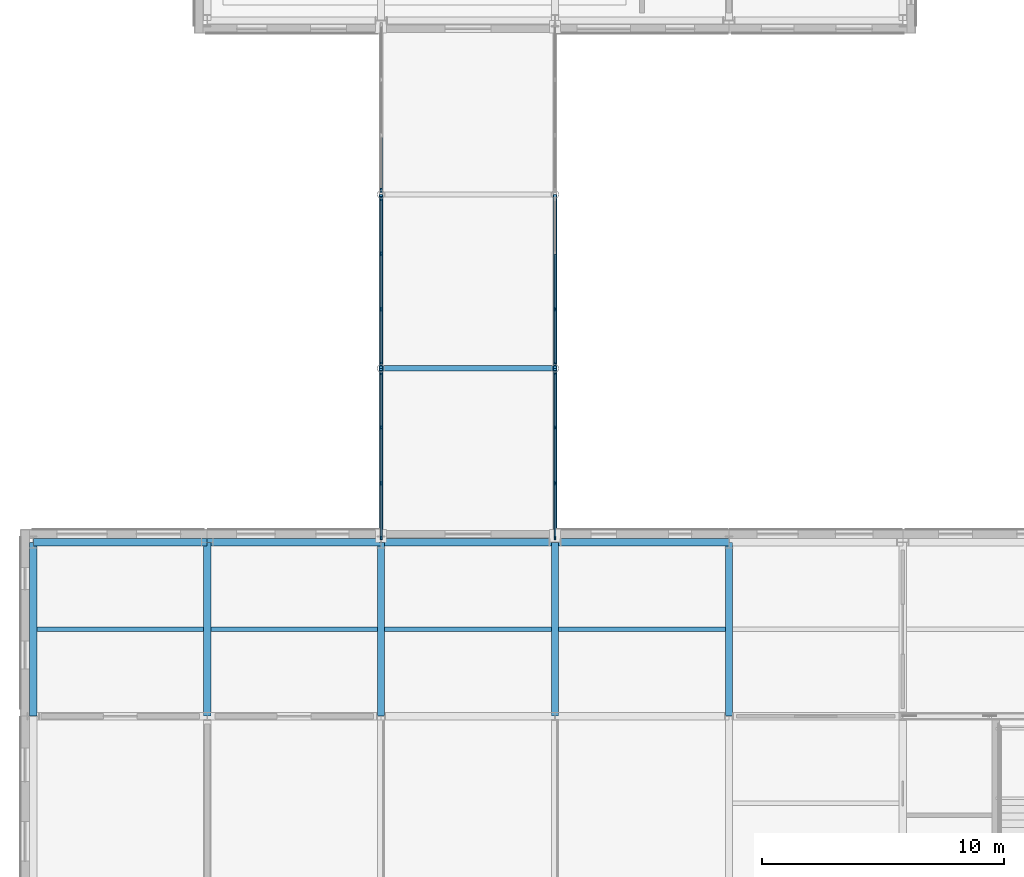
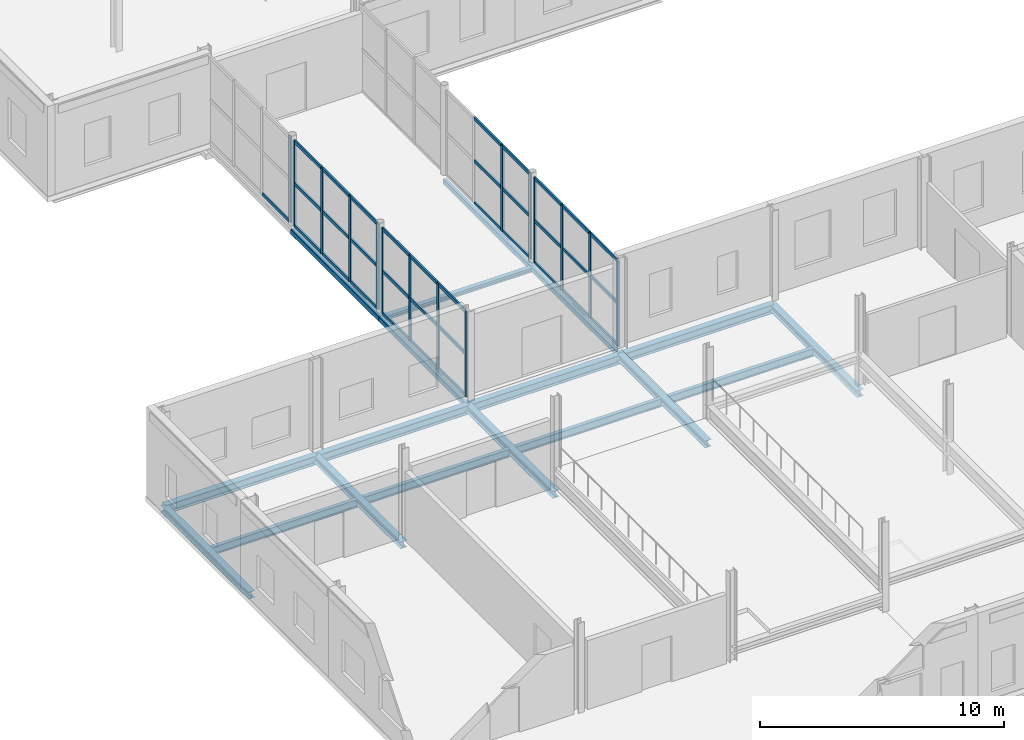
# One storey, part 23 of 92: 49 members, 18 beams, 5 elements without a shape of their own.
"""IFC4 building model written with IfcOpenShell, lengths in metres."""

from ifc_helpers import new_model, si_unit, direction, frame, origin, origin_2d, place, context, subcontext, project, spatial, rectangle, hollow_rectangle, i_section, extrude, material, material_profile, profile_set, type_object, element, aggregate, save


model = new_model("IFC4")

# Units and contexts
model_context = context("Model", 3, precision=1e-05, world=origin(), true_north=direction((0.0, 1.0)))
body_context = subcontext(model_context, "Body", "Model", "MODEL_VIEW")
ifc_project = project(units=[si_unit("LENGTHUNIT", "METRE"), si_unit("AREAUNIT", "SQUARE_METRE"), si_unit("VOLUMEUNIT", "CUBIC_METRE"), si_unit("PLANEANGLEUNIT", "RADIAN"), si_unit("MASSUNIT", "GRAM", prefix="KILO")], contexts=[model_context])

# Site, building, storey
site_placement = place(None, origin())
site = spatial("IfcSite", under=ifc_project, at=site_placement, CompositionType="ELEMENT")
building_placement = place(site_placement, origin())
building = spatial("IfcBuilding", under=site, at=building_placement, Name="Zlatovets Crest Museum", CompositionType="ELEMENT")
storey_placement = place(building_placement, origin())
storey = spatial("IfcBuildingStorey", under=building, at=storey_placement, Name="L00", CompositionType="ELEMENT", Elevation=0.0)

# Beams
ifc_material_1 = material(Name="Structural steel S355J2", Category="steel")
ifc_material_profile_1 = material_profile(ifc_material_1, i_section(OverallWidth=0.300048828125, OverallDepth=0.35009765625, WebThickness=0.010009765625, FlangeThickness=0.017578125, FilletRadius=0.027099609375, at=origin_2d()), Name="HEA 360")
ifc_profile_set_1 = profile_set([ifc_material_profile_1], Name="Structural steel S355J2")
beam_type_1 = type_object("IfcBeamType", Name="Beam_B-03", PredefinedType="BEAM", material=ifc_profile_set_1)
for number, where, z_axis, x_axis, name in (
    (1, (0.0, 21.60009765625, -0.425048828125), (0.0, 1.0, 0.0), (-1.0, 0.0, 0.0), "V3 L00 Grid Beam B-03"),
    (2, (7.199951171875, 21.60009765625, -0.425048828125), (0.0, 1.0, 0.0), (-1.0, 0.0, 0.0), "V3 L00 Grid Beam B-03"),
    (3, (14.39990234375, 21.60009765625, -0.425048828125), (0.0, 1.0, 0.0), (-1.0, 0.0, 0.0), "V3 L00 Grid Beam B-03"),
    (4, (21.60009765625, 21.60009765625, -0.425048828125), (0.0, 1.0, 0.0), (-1.0, 0.0, 0.0), "V3 L00 Grid Beam B-03"),
    (5, (28.800048828125, 21.60009765625, -0.425048828125), (0.0, 1.0, 0.0), (-1.0, 0.0, 0.0), "V3 L00 Grid Beam B-03"),
):
    element("IfcBeam", number, at=place(storey_placement, frame(where, z_axis=z_axis, x_axis=x_axis)), inside=storey, type_object=beam_type_1, Name=name, PredefinedType="BEAM", context=body_context, shape_type="SweptSolid", body=[
        extrude(i_section(OverallWidth=0.300048828125, OverallDepth=0.35009765625, WebThickness=0.010009765625, FlangeThickness=0.017578125, FilletRadius=0.027099609375, at=origin_2d()), origin(), (0.0, 0.0, 1.0), 7.199951171875),
    ])
ifc_material_profile_2 = material_profile(ifc_material_1, i_section(OverallWidth=0.300048828125, OverallDepth=0.43994140625, WebThickness=0.011474609375, FlangeThickness=0.02099609375, FilletRadius=0.027099609375, at=origin_2d()), Name="HEA 450")
ifc_profile_set_2 = profile_set([ifc_material_profile_2], Name="Structural steel S355J2")
beam_type_2 = type_object("IfcBeamType", Name="Beam_B-10", PredefinedType="BEAM", material=ifc_profile_set_2)
for number, where, z_axis, x_axis, name in (
    (6, (0.0, 28.800048828125, -0.469970703125), (1.0, 0.0, 0.0), (0.0, 1.0, 0.0), "V3 L00 Primary Girder B-10"),
    (7, (7.199951171875, 28.800048828125, -0.469970703125), (1.0, 0.0, 0.0), (0.0, 1.0, 0.0), "V3 L00 Primary Girder B-10"),
):
    element("IfcBeam", number, at=place(storey_placement, frame(where, z_axis=z_axis, x_axis=x_axis)), inside=storey, type_object=beam_type_2, Name=name, PredefinedType="BEAM", context=body_context, shape_type="SweptSolid", body=[
        extrude(i_section(OverallWidth=0.300048828125, OverallDepth=0.43994140625, WebThickness=0.011474609375, FlangeThickness=0.02099609375, FilletRadius=0.027099609375, at=origin_2d()), origin(), (0.0, 0.0, 1.0), 7.199951171875),
    ])
beam_1_placement = place(storey_placement, frame((14.39990234375, 28.800048828125, -0.469970703125), z_axis=(1.0, 0.0, 0.0), x_axis=(0.0, 1.0, 0.0)))
element("IfcBeam", 8, at=beam_1_placement, inside=storey, type_object=beam_type_2, Name="V3 L00 Primary Girder B-10", PredefinedType="BEAM", context=body_context, shape_type="SweptSolid", body=[
    extrude(i_section(OverallWidth=0.300048828125, OverallDepth=0.43994140625, WebThickness=0.011474609375, FlangeThickness=0.02099609375, FilletRadius=0.027099609375, at=origin_2d()), origin(), (0.0, 0.0, 1.0), 7.2001953125),
])
beam_2_placement = place(storey_placement, frame((21.60009765625, 28.800048828125, -0.469970703125), z_axis=(1.0, 0.0, 0.0), x_axis=(0.0, 1.0, 0.0)))
element("IfcBeam", 9, at=beam_2_placement, inside=storey, type_object=beam_type_2, Name="V3 L00 Primary Girder B-10", PredefinedType="BEAM", context=body_context, shape_type="SweptSolid", body=[
    extrude(i_section(OverallWidth=0.300048828125, OverallDepth=0.43994140625, WebThickness=0.011474609375, FlangeThickness=0.02099609375, FilletRadius=0.027099609375, at=origin_2d()), origin(), (0.0, 0.0, 1.0), 7.199951171875),
])
ifc_material_profile_3 = material_profile(ifc_material_1, i_section(OverallWidth=0.219970703125, OverallDepth=0.2099609375, WebThickness=0.007080078125, FlangeThickness=0.010986328125, FilletRadius=0.01806640625, at=origin_2d()), Name="HEA 220")
ifc_profile_set_3 = profile_set([ifc_material_profile_3], Name="Structural steel S355J2")
beam_type_3 = type_object("IfcBeamType", Name="Beam_B-14", PredefinedType="BEAM", material=ifc_profile_set_3)
beam_3_placement = place(storey_placement, frame((14.39990234375, 36.0, -0.3798828125), z_axis=(1.0, 0.0, 0.0), x_axis=(0.0, 1.0, 0.0)))
element("IfcBeam", 10, at=beam_3_placement, inside=storey, type_object=beam_type_3, Name="West Hillside Glazed Link Bridge L00 Cross Beam", PredefinedType="BEAM", context=body_context, shape_type="SweptSolid", body=[
    extrude(i_section(OverallWidth=0.219970703125, OverallDepth=0.2099609375, WebThickness=0.007080078125, FlangeThickness=0.010986328125, FilletRadius=0.01806640625, at=origin_2d()), origin(), (0.0, 0.0, 1.0), 7.2001953125),
])
ifc_material_profile_4 = material_profile(ifc_material_1, hollow_rectangle(XDim=0.159912109375, YDim=0.260009765625, WallThickness=0.010009765625, InnerFilletRadius=0.010009765625, OuterFilletRadius=0.02001953125, at=origin_2d()), Name="RHS 160x260x10.0")
ifc_profile_set_4 = profile_set([ifc_material_profile_4], Name="Structural steel S355J2")
beam_type_4 = type_object("IfcBeamType", Name="Beam_BRG-02", PredefinedType="BEAM", material=ifc_profile_set_4)
for number, where, z_axis, x_axis, name in (
    (11, (14.39990234375, 28.800048828125, -0.3798828125), (0.0, 1.0, 0.0), (-1.0, 0.0, 0.0), "West Hillside Glazed Link Bridge L00 Stringer Beam"),
    (12, (14.39990234375, 36.0, -0.3798828125), (0.0, 1.0, 0.0), (-1.0, 0.0, 0.0), "West Hillside Glazed Link Bridge L00 Stringer Beam"),
    (13, (21.60009765625, 28.800048828125, -0.3798828125), (0.0, 1.0, 0.0), (-1.0, 0.0, 0.0), "West Hillside Glazed Link Bridge L00 Stringer Beam"),
    (14, (21.60009765625, 36.0, -0.3798828125), (0.0, 1.0, 0.0), (-1.0, 0.0, 0.0), "West Hillside Glazed Link Bridge L00 Stringer Beam"),
):
    element("IfcBeam", number, at=place(storey_placement, frame(where, z_axis=z_axis, x_axis=x_axis)), inside=storey, type_object=beam_type_4, Name=name, PredefinedType="BEAM", context=body_context, shape_type="SweptSolid", body=[
        extrude(hollow_rectangle(XDim=0.159912109375, YDim=0.260009765625, WallThickness=0.010009765625, InnerFilletRadius=0.010009765625, OuterFilletRadius=0.02001953125, at=origin_2d()), origin(), (0.0, 0.0, 1.0), 7.199951171875),
    ])
ifc_material_profile_5 = material_profile(ifc_material_1, i_section(OverallWidth=0.179931640625, OverallDepth=0.39990234375, WebThickness=0.008544921875, FlangeThickness=0.013427734375, FilletRadius=0.02099609375, at=origin_2d()), Name="IPE 400")
ifc_profile_set_5 = profile_set([ifc_material_profile_5], Name="Structural steel S355J2")
beam_type_5 = type_object("IfcBeamType", Name="Beam_J-04", PredefinedType="JOIST", material=ifc_profile_set_5)
beam_4_placement = place(storey_placement, frame((0.14990234375, 25.199951171875, -0.449951171875), z_axis=(1.0, 0.0, 0.0), x_axis=(0.0, 1.0, 0.0)))
element("IfcBeam", 15, at=beam_4_placement, inside=storey, type_object=beam_type_5, Name="V3 L00 Composite Joist J-04", PredefinedType="JOIST", context=body_context, shape_type="SweptSolid", body=[
    extrude(i_section(OverallWidth=0.179931640625, OverallDepth=0.39990234375, WebThickness=0.008544921875, FlangeThickness=0.013427734375, FilletRadius=0.02099609375, at=origin_2d()), origin(), (0.0, 0.0, 1.0), 6.900146484375),
])
for number, where, z_axis, x_axis, name in (
    (16, (7.35009765625, 25.199951171875, -0.449951171875), (1.0, 0.0, 0.0), (0.0, 1.0, 0.0), "V3 L00 Composite Joist J-04"),
    (17, (14.550048828125, 25.199951171875, -0.449951171875), (1.0, 0.0, 0.0), (0.0, 1.0, 0.0), "V3 L00 Composite Joist J-04"),
    (18, (21.75, 25.199951171875, -0.449951171875), (1.0, 0.0, 0.0), (0.0, 1.0, 0.0), "V3 L00 Composite Joist J-04"),
):
    element("IfcBeam", number, at=place(storey_placement, frame(where, z_axis=z_axis, x_axis=x_axis)), inside=storey, type_object=beam_type_5, Name=name, PredefinedType="JOIST", context=body_context, shape_type="SweptSolid", body=[
        extrude(i_section(OverallWidth=0.179931640625, OverallDepth=0.39990234375, WebThickness=0.008544921875, FlangeThickness=0.013427734375, FilletRadius=0.02099609375, at=origin_2d()), origin(), (0.0, 0.0, 1.0), 6.89990234375),
    ])

# Curtain wall, members
ifc_material_2 = material(Name="Bronze-anodised aluminium and low-E triple glass", Category="aluminium")
curtain_wall_type = type_object("IfcCurtainWallType", Name="CW_CW-BR2-L00-S69", PredefinedType="NOTDEFINED", material=ifc_material_2)
curtain_wall_1_placement = place(storey_placement, origin())
curtain_wall_1 = element("IfcCurtainWall", 19, at=curtain_wall_1_placement, inside=storey, type_object=curtain_wall_type, Name="West Hillside Glazed Link Bridge L00 Glazed Bridge Curtain Wall", PredefinedType="NOTDEFINED")
ifc_material_3 = material(Name="Bronze-anodised aluminium EN AW-6060", Category="aluminium")
ifc_material_profile_6 = material_profile(ifc_material_3, rectangle(XDim=0.080078125, YDim=0.159912109375, at=origin_2d()), Name="ALU 80x160")
ifc_profile_set_6 = profile_set([ifc_material_profile_6], Name="Bronze-anodised aluminium EN AW-6060")
member_type_1 = type_object("IfcMemberType", Name="CWMull_M1", PredefinedType="MULLION", material=ifc_profile_set_6)
member_1_placement = place(storey_placement, frame((14.39990234375, 28.97998046875, 0.0), z_axis=(0.0, 0.0, 1.0), x_axis=(-1.0, 0.0, 0.0)))
member_1 = element("IfcMember", 20, at=member_1_placement, type_object=member_type_1, Name="CW-BR2-L00-S69 mullion 1", PredefinedType="MULLION", context=body_context, shape_type="SweptSolid", body=[
    extrude(rectangle(XDim=0.080078125, YDim=0.159912109375, at=origin_2d()), origin(), (0.0, 0.0, 1.0), 4.280029296875),
])
member_2_placement = place(storey_placement, frame((14.39990234375, 31.25, 0.0), z_axis=(0.0, 0.0, 1.0), x_axis=(-1.0, 0.0, 0.0)))
member_2 = element("IfcMember", 21, at=member_2_placement, type_object=member_type_1, Name="CW-BR2-L00-S69 mullion 2", PredefinedType="MULLION", context=body_context, shape_type="SweptSolid", body=[
    extrude(rectangle(XDim=0.080078125, YDim=0.159912109375, at=origin_2d()), origin(), (0.0, 0.0, 1.0), 4.280029296875),
])
member_3_placement = place(storey_placement, frame((14.39990234375, 33.550048828125, 0.0), z_axis=(0.0, 0.0, 1.0), x_axis=(-1.0, 0.0, 0.0)))
member_3 = element("IfcMember", 22, at=member_3_placement, type_object=member_type_1, Name="CW-BR2-L00-S69 mullion 3", PredefinedType="MULLION", context=body_context, shape_type="SweptSolid", body=[
    extrude(rectangle(XDim=0.080078125, YDim=0.159912109375, at=origin_2d()), origin(), (0.0, 0.0, 1.0), 4.280029296875),
])
member_4_placement = place(storey_placement, frame((14.39990234375, 35.820068359375, 0.0), z_axis=(0.0, 0.0, 1.0), x_axis=(-1.0, 0.0, 0.0)))
member_4 = element("IfcMember", 23, at=member_4_placement, type_object=member_type_1, Name="CW-BR2-L00-S69 mullion 4", PredefinedType="MULLION", context=body_context, shape_type="SweptSolid", body=[
    extrude(rectangle(XDim=0.080078125, YDim=0.159912109375, at=origin_2d()), origin(), (0.0, 0.0, 1.0), 4.280029296875),
])

curtain_wall_2_placement = place(storey_placement, origin())
curtain_wall_2 = element("IfcCurtainWall", 24, at=curtain_wall_2_placement, inside=storey, type_object=curtain_wall_type, Name="West Hillside Glazed Link Bridge L00 Glazed Bridge Curtain Wall", PredefinedType="NOTDEFINED")
member_5_placement = place(storey_placement, frame((14.39990234375, 36.179931640625, 0.0), z_axis=(0.0, 0.0, 1.0), x_axis=(-1.0, 0.0, 0.0)))
member_5 = element("IfcMember", 25, at=member_5_placement, type_object=member_type_1, Name="CW-BR2-L00-S69 mullion 1", PredefinedType="MULLION", context=body_context, shape_type="SweptSolid", body=[
    extrude(rectangle(XDim=0.080078125, YDim=0.159912109375, at=origin_2d()), origin(), (0.0, 0.0, 1.0), 4.280029296875),
])
member_6_placement = place(storey_placement, frame((14.39990234375, 38.449951171875, 0.0), z_axis=(0.0, 0.0, 1.0), x_axis=(-1.0, 0.0, 0.0)))
member_6 = element("IfcMember", 26, at=member_6_placement, type_object=member_type_1, Name="CW-BR2-L00-S69 mullion 2", PredefinedType="MULLION", context=body_context, shape_type="SweptSolid", body=[
    extrude(rectangle(XDim=0.080078125, YDim=0.159912109375, at=origin_2d()), origin(), (0.0, 0.0, 1.0), 4.280029296875),
])
member_7_placement = place(storey_placement, frame((14.39990234375, 40.75, 0.0), z_axis=(0.0, 0.0, 1.0), x_axis=(-1.0, 0.0, 0.0)))
member_7 = element("IfcMember", 27, at=member_7_placement, type_object=member_type_1, Name="CW-BR2-L00-S69 mullion 3", PredefinedType="MULLION", context=body_context, shape_type="SweptSolid", body=[
    extrude(rectangle(XDim=0.080078125, YDim=0.159912109375, at=origin_2d()), origin(), (0.0, 0.0, 1.0), 4.280029296875),
])
member_8_placement = place(storey_placement, frame((14.39990234375, 43.02001953125, 0.0), z_axis=(0.0, 0.0, 1.0), x_axis=(-1.0, 0.0, 0.0)))
member_8 = element("IfcMember", 28, at=member_8_placement, type_object=member_type_1, Name="CW-BR2-L00-S69 mullion 4", PredefinedType="MULLION", context=body_context, shape_type="SweptSolid", body=[
    extrude(rectangle(XDim=0.080078125, YDim=0.159912109375, at=origin_2d()), origin(), (0.0, 0.0, 1.0), 4.280029296875),
])

# Curtain wall, member
curtain_wall_3_placement = place(storey_placement, origin())
curtain_wall_3 = element("IfcCurtainWall", 29, at=curtain_wall_3_placement, inside=storey, type_object=curtain_wall_type, Name="West Hillside Glazed Link Bridge L00 Glazed Bridge Curtain Wall", PredefinedType="NOTDEFINED")
member_9_placement = place(storey_placement, frame((14.39990234375, 43.3798828125, 0.0), z_axis=(0.0, 0.0, 1.0), x_axis=(-1.0, 0.0, 0.0)))
member_9 = element("IfcMember", 30, at=member_9_placement, type_object=member_type_1, Name="CW-BR2-L00-S69 mullion 1", PredefinedType="MULLION", context=body_context, shape_type="SweptSolid", body=[
    extrude(rectangle(XDim=0.080078125, YDim=0.159912109375, at=origin_2d()), origin(), (0.0, 0.0, 1.0), 4.280029296875),
])

# Curtain wall, members
curtain_wall_4_placement = place(storey_placement, origin())
curtain_wall_4 = element("IfcCurtainWall", 31, at=curtain_wall_4_placement, inside=storey, type_object=curtain_wall_type, Name="West Hillside Glazed Link Bridge L00 Glazed Bridge Curtain Wall", PredefinedType="NOTDEFINED")
member_10_placement = place(storey_placement, frame((21.60009765625, 28.97998046875, 0.0), z_axis=(0.0, 0.0, 1.0), x_axis=(-1.0, 0.0, 0.0)))
member_10 = element("IfcMember", 32, at=member_10_placement, type_object=member_type_1, Name="CW-BR2-L00-S69 mullion 1", PredefinedType="MULLION", context=body_context, shape_type="SweptSolid", body=[
    extrude(rectangle(XDim=0.080078125, YDim=0.159912109375, at=origin_2d()), origin(), (0.0, 0.0, 1.0), 4.280029296875),
])
member_11_placement = place(storey_placement, frame((21.60009765625, 31.25, 0.0), z_axis=(0.0, 0.0, 1.0), x_axis=(-1.0, 0.0, 0.0)))
member_11 = element("IfcMember", 33, at=member_11_placement, type_object=member_type_1, Name="CW-BR2-L00-S69 mullion 2", PredefinedType="MULLION", context=body_context, shape_type="SweptSolid", body=[
    extrude(rectangle(XDim=0.080078125, YDim=0.159912109375, at=origin_2d()), origin(), (0.0, 0.0, 1.0), 4.280029296875),
])
member_12_placement = place(storey_placement, frame((21.60009765625, 33.550048828125, 0.0), z_axis=(0.0, 0.0, 1.0), x_axis=(-1.0, 0.0, 0.0)))
member_12 = element("IfcMember", 34, at=member_12_placement, type_object=member_type_1, Name="CW-BR2-L00-S69 mullion 3", PredefinedType="MULLION", context=body_context, shape_type="SweptSolid", body=[
    extrude(rectangle(XDim=0.080078125, YDim=0.159912109375, at=origin_2d()), origin(), (0.0, 0.0, 1.0), 4.280029296875),
])
member_13_placement = place(storey_placement, frame((21.60009765625, 35.820068359375, 0.0), z_axis=(0.0, 0.0, 1.0), x_axis=(-1.0, 0.0, 0.0)))
member_13 = element("IfcMember", 35, at=member_13_placement, type_object=member_type_1, Name="CW-BR2-L00-S69 mullion 4", PredefinedType="MULLION", context=body_context, shape_type="SweptSolid", body=[
    extrude(rectangle(XDim=0.080078125, YDim=0.159912109375, at=origin_2d()), origin(), (0.0, 0.0, 1.0), 4.280029296875),
])

curtain_wall_5_placement = place(storey_placement, origin())
curtain_wall_5 = element("IfcCurtainWall", 36, at=curtain_wall_5_placement, inside=storey, type_object=curtain_wall_type, Name="West Hillside Glazed Link Bridge L00 Glazed Bridge Curtain Wall", PredefinedType="NOTDEFINED")
member_14_placement = place(storey_placement, frame((21.60009765625, 36.179931640625, 0.0), z_axis=(0.0, 0.0, 1.0), x_axis=(-1.0, 0.0, 0.0)))
member_14 = element("IfcMember", 37, at=member_14_placement, type_object=member_type_1, Name="CW-BR2-L00-S69 mullion 1", PredefinedType="MULLION", context=body_context, shape_type="SweptSolid", body=[
    extrude(rectangle(XDim=0.080078125, YDim=0.159912109375, at=origin_2d()), origin(), (0.0, 0.0, 1.0), 4.280029296875),
])
member_15_placement = place(storey_placement, frame((21.60009765625, 38.449951171875, 0.0), z_axis=(0.0, 0.0, 1.0), x_axis=(-1.0, 0.0, 0.0)))
member_15 = element("IfcMember", 38, at=member_15_placement, type_object=member_type_1, Name="CW-BR2-L00-S69 mullion 2", PredefinedType="MULLION", context=body_context, shape_type="SweptSolid", body=[
    extrude(rectangle(XDim=0.080078125, YDim=0.159912109375, at=origin_2d()), origin(), (0.0, 0.0, 1.0), 4.280029296875),
])

# Member
ifc_material_profile_7 = material_profile(ifc_material_3, rectangle(XDim=0.080078125, YDim=0.159912109375, at=origin_2d()), Name="ALU 80x160")
ifc_profile_set_7 = profile_set([ifc_material_profile_7], Name="Bronze-anodised aluminium EN AW-6060")
member_type_2 = type_object("IfcMemberType", Name="CWTrans_T1", PredefinedType="USERDEFINED", material=ifc_profile_set_7)
member_16_placement = place(storey_placement, frame((14.39990234375, 29.010009765625, 0.030029296875), z_axis=(0.0, 1.0, 0.0), x_axis=(-1.0, 0.0, 0.0)))
member_16 = element("IfcMember", 39, at=member_16_placement, type_object=member_type_2, Name="CW-BR2-L00-S69 transom 1.1", ObjectType="TRANSOM", PredefinedType="USERDEFINED", context=body_context, shape_type="SweptSolid", body=[
    extrude(rectangle(XDim=0.080078125, YDim=0.159912109375, at=origin_2d()), origin(), (0.0, 0.0, 1.0), 2.2099609375),
])

member_17_placement = place(storey_placement, frame((14.39990234375, 29.010009765625, 2.139892578125), z_axis=(0.0, 1.0, 0.0), x_axis=(-1.0, 0.0, 0.0)))
member_17 = element("IfcMember", 40, at=member_17_placement, type_object=member_type_2, Name="CW-BR2-L00-S69 transom 1.2", ObjectType="TRANSOM", PredefinedType="USERDEFINED", context=body_context, shape_type="SweptSolid", body=[
    extrude(rectangle(XDim=0.080078125, YDim=0.159912109375, at=origin_2d()), origin(), (0.0, 0.0, 1.0), 2.2099609375),
])

member_18_placement = place(storey_placement, frame((14.39990234375, 29.010009765625, 4.25), z_axis=(0.0, 1.0, 0.0), x_axis=(-1.0, 0.0, 0.0)))
member_18 = element("IfcMember", 41, at=member_18_placement, type_object=member_type_2, Name="CW-BR2-L00-S69 transom 1.3", ObjectType="TRANSOM", PredefinedType="USERDEFINED", context=body_context, shape_type="SweptSolid", body=[
    extrude(rectangle(XDim=0.080078125, YDim=0.159912109375, at=origin_2d()), origin(), (0.0, 0.0, 1.0), 2.2099609375),
])

member_19_placement = place(storey_placement, frame((14.39990234375, 31.280029296875, 0.030029296875), z_axis=(0.0, 1.0, 0.0), x_axis=(-1.0, 0.0, 0.0)))
member_19 = element("IfcMember", 42, at=member_19_placement, type_object=member_type_2, Name="CW-BR2-L00-S69 transom 2.1", ObjectType="TRANSOM", PredefinedType="USERDEFINED", context=body_context, shape_type="SweptSolid", body=[
    extrude(rectangle(XDim=0.080078125, YDim=0.159912109375, at=origin_2d()), origin(), (0.0, 0.0, 1.0), 2.239990234375),
])

member_20_placement = place(storey_placement, frame((14.39990234375, 31.280029296875, 2.139892578125), z_axis=(0.0, 1.0, 0.0), x_axis=(-1.0, 0.0, 0.0)))
member_20 = element("IfcMember", 43, at=member_20_placement, type_object=member_type_2, Name="CW-BR2-L00-S69 transom 2.2", ObjectType="TRANSOM", PredefinedType="USERDEFINED", context=body_context, shape_type="SweptSolid", body=[
    extrude(rectangle(XDim=0.080078125, YDim=0.159912109375, at=origin_2d()), origin(), (0.0, 0.0, 1.0), 2.239990234375),
])

member_21_placement = place(storey_placement, frame((14.39990234375, 31.280029296875, 4.25), z_axis=(0.0, 1.0, 0.0), x_axis=(-1.0, 0.0, 0.0)))
member_21 = element("IfcMember", 44, at=member_21_placement, type_object=member_type_2, Name="CW-BR2-L00-S69 transom 2.3", ObjectType="TRANSOM", PredefinedType="USERDEFINED", context=body_context, shape_type="SweptSolid", body=[
    extrude(rectangle(XDim=0.080078125, YDim=0.159912109375, at=origin_2d()), origin(), (0.0, 0.0, 1.0), 2.239990234375),
])

member_22_placement = place(storey_placement, frame((14.39990234375, 33.580078125, 0.030029296875), z_axis=(0.0, 1.0, 0.0), x_axis=(-1.0, 0.0, 0.0)))
member_22 = element("IfcMember", 45, at=member_22_placement, type_object=member_type_2, Name="CW-BR2-L00-S69 transom 3.1", ObjectType="TRANSOM", PredefinedType="USERDEFINED", context=body_context, shape_type="SweptSolid", body=[
    extrude(rectangle(XDim=0.080078125, YDim=0.159912109375, at=origin_2d()), origin(), (0.0, 0.0, 1.0), 2.2099609375),
])

member_23_placement = place(storey_placement, frame((14.39990234375, 33.580078125, 2.139892578125), z_axis=(0.0, 1.0, 0.0), x_axis=(-1.0, 0.0, 0.0)))
member_23 = element("IfcMember", 46, at=member_23_placement, type_object=member_type_2, Name="CW-BR2-L00-S69 transom 3.2", ObjectType="TRANSOM", PredefinedType="USERDEFINED", context=body_context, shape_type="SweptSolid", body=[
    extrude(rectangle(XDim=0.080078125, YDim=0.159912109375, at=origin_2d()), origin(), (0.0, 0.0, 1.0), 2.2099609375),
])

member_24_placement = place(storey_placement, frame((14.39990234375, 33.580078125, 4.25), z_axis=(0.0, 1.0, 0.0), x_axis=(-1.0, 0.0, 0.0)))
member_24 = element("IfcMember", 47, at=member_24_placement, type_object=member_type_2, Name="CW-BR2-L00-S69 transom 3.3", ObjectType="TRANSOM", PredefinedType="USERDEFINED", context=body_context, shape_type="SweptSolid", body=[
    extrude(rectangle(XDim=0.080078125, YDim=0.159912109375, at=origin_2d()), origin(), (0.0, 0.0, 1.0), 2.2099609375),
])

aggregate(curtain_wall_1, [member_1, member_2, member_3, member_4, member_16, member_17, member_18, member_19, member_20, member_21, member_22, member_23, member_24])

member_25_placement = place(storey_placement, frame((14.39990234375, 36.2099609375, 0.030029296875), z_axis=(0.0, 1.0, 0.0), x_axis=(-1.0, 0.0, 0.0)))
member_25 = element("IfcMember", 48, at=member_25_placement, type_object=member_type_2, Name="CW-BR2-L00-S69 transom 1.1", ObjectType="TRANSOM", PredefinedType="USERDEFINED", context=body_context, shape_type="SweptSolid", body=[
    extrude(rectangle(XDim=0.080078125, YDim=0.159912109375, at=origin_2d()), origin(), (0.0, 0.0, 1.0), 2.2099609375),
])

member_26_placement = place(storey_placement, frame((14.39990234375, 36.2099609375, 2.139892578125), z_axis=(0.0, 1.0, 0.0), x_axis=(-1.0, 0.0, 0.0)))
member_26 = element("IfcMember", 49, at=member_26_placement, type_object=member_type_2, Name="CW-BR2-L00-S69 transom 1.2", ObjectType="TRANSOM", PredefinedType="USERDEFINED", context=body_context, shape_type="SweptSolid", body=[
    extrude(rectangle(XDim=0.080078125, YDim=0.159912109375, at=origin_2d()), origin(), (0.0, 0.0, 1.0), 2.2099609375),
])

member_27_placement = place(storey_placement, frame((14.39990234375, 36.2099609375, 4.25), z_axis=(0.0, 1.0, 0.0), x_axis=(-1.0, 0.0, 0.0)))
member_27 = element("IfcMember", 50, at=member_27_placement, type_object=member_type_2, Name="CW-BR2-L00-S69 transom 1.3", ObjectType="TRANSOM", PredefinedType="USERDEFINED", context=body_context, shape_type="SweptSolid", body=[
    extrude(rectangle(XDim=0.080078125, YDim=0.159912109375, at=origin_2d()), origin(), (0.0, 0.0, 1.0), 2.2099609375),
])

member_28_placement = place(storey_placement, frame((14.39990234375, 38.47998046875, 0.030029296875), z_axis=(0.0, 1.0, 0.0), x_axis=(-1.0, 0.0, 0.0)))
member_28 = element("IfcMember", 51, at=member_28_placement, type_object=member_type_2, Name="CW-BR2-L00-S69 transom 2.1", ObjectType="TRANSOM", PredefinedType="USERDEFINED", context=body_context, shape_type="SweptSolid", body=[
    extrude(rectangle(XDim=0.080078125, YDim=0.159912109375, at=origin_2d()), origin(), (0.0, 0.0, 1.0), 2.239990234375),
])

member_29_placement = place(storey_placement, frame((14.39990234375, 38.47998046875, 2.139892578125), z_axis=(0.0, 1.0, 0.0), x_axis=(-1.0, 0.0, 0.0)))
member_29 = element("IfcMember", 52, at=member_29_placement, type_object=member_type_2, Name="CW-BR2-L00-S69 transom 2.2", ObjectType="TRANSOM", PredefinedType="USERDEFINED", context=body_context, shape_type="SweptSolid", body=[
    extrude(rectangle(XDim=0.080078125, YDim=0.159912109375, at=origin_2d()), origin(), (0.0, 0.0, 1.0), 2.239990234375),
])

member_30_placement = place(storey_placement, frame((14.39990234375, 38.47998046875, 4.25), z_axis=(0.0, 1.0, 0.0), x_axis=(-1.0, 0.0, 0.0)))
member_30 = element("IfcMember", 53, at=member_30_placement, type_object=member_type_2, Name="CW-BR2-L00-S69 transom 2.3", ObjectType="TRANSOM", PredefinedType="USERDEFINED", context=body_context, shape_type="SweptSolid", body=[
    extrude(rectangle(XDim=0.080078125, YDim=0.159912109375, at=origin_2d()), origin(), (0.0, 0.0, 1.0), 2.239990234375),
])

member_31_placement = place(storey_placement, frame((14.39990234375, 40.780029296875, 0.030029296875), z_axis=(0.0, 1.0, 0.0), x_axis=(-1.0, 0.0, 0.0)))
member_31 = element("IfcMember", 54, at=member_31_placement, type_object=member_type_2, Name="CW-BR2-L00-S69 transom 3.1", ObjectType="TRANSOM", PredefinedType="USERDEFINED", context=body_context, shape_type="SweptSolid", body=[
    extrude(rectangle(XDim=0.080078125, YDim=0.159912109375, at=origin_2d()), origin(), (0.0, 0.0, 1.0), 2.2099609375),
])

member_32_placement = place(storey_placement, frame((14.39990234375, 40.780029296875, 2.139892578125), z_axis=(0.0, 1.0, 0.0), x_axis=(-1.0, 0.0, 0.0)))
member_32 = element("IfcMember", 55, at=member_32_placement, type_object=member_type_2, Name="CW-BR2-L00-S69 transom 3.2", ObjectType="TRANSOM", PredefinedType="USERDEFINED", context=body_context, shape_type="SweptSolid", body=[
    extrude(rectangle(XDim=0.080078125, YDim=0.159912109375, at=origin_2d()), origin(), (0.0, 0.0, 1.0), 2.2099609375),
])

member_33_placement = place(storey_placement, frame((14.39990234375, 40.780029296875, 4.25), z_axis=(0.0, 1.0, 0.0), x_axis=(-1.0, 0.0, 0.0)))
member_33 = element("IfcMember", 56, at=member_33_placement, type_object=member_type_2, Name="CW-BR2-L00-S69 transom 3.3", ObjectType="TRANSOM", PredefinedType="USERDEFINED", context=body_context, shape_type="SweptSolid", body=[
    extrude(rectangle(XDim=0.080078125, YDim=0.159912109375, at=origin_2d()), origin(), (0.0, 0.0, 1.0), 2.2099609375),
])

aggregate(curtain_wall_2, [member_5, member_6, member_7, member_8, member_25, member_26, member_27, member_28, member_29, member_30, member_31, member_32, member_33])

member_34_placement = place(storey_placement, frame((14.39990234375, 43.409912109375, 0.030029296875), z_axis=(0.0, 1.0, 0.0), x_axis=(-1.0, 0.0, 0.0)))
member_34 = element("IfcMember", 57, at=member_34_placement, type_object=member_type_2, Name="CW-BR2-L00-S69 transom 1.1", ObjectType="TRANSOM", PredefinedType="USERDEFINED", context=body_context, shape_type="SweptSolid", body=[
    extrude(rectangle(XDim=0.080078125, YDim=0.159912109375, at=origin_2d()), origin(), (0.0, 0.0, 1.0), 2.210205078125),
])

aggregate(curtain_wall_3, [member_9, member_34])

member_35_placement = place(storey_placement, frame((21.60009765625, 29.010009765625, 0.030029296875), z_axis=(0.0, 1.0, 0.0), x_axis=(-1.0, 0.0, 0.0)))
member_35 = element("IfcMember", 58, at=member_35_placement, type_object=member_type_2, Name="CW-BR2-L00-S69 transom 1.1", ObjectType="TRANSOM", PredefinedType="USERDEFINED", context=body_context, shape_type="SweptSolid", body=[
    extrude(rectangle(XDim=0.080078125, YDim=0.159912109375, at=origin_2d()), origin(), (0.0, 0.0, 1.0), 2.2099609375),
])

member_36_placement = place(storey_placement, frame((21.60009765625, 29.010009765625, 2.139892578125), z_axis=(0.0, 1.0, 0.0), x_axis=(-1.0, 0.0, 0.0)))
member_36 = element("IfcMember", 59, at=member_36_placement, type_object=member_type_2, Name="CW-BR2-L00-S69 transom 1.2", ObjectType="TRANSOM", PredefinedType="USERDEFINED", context=body_context, shape_type="SweptSolid", body=[
    extrude(rectangle(XDim=0.080078125, YDim=0.159912109375, at=origin_2d()), origin(), (0.0, 0.0, 1.0), 2.2099609375),
])

member_37_placement = place(storey_placement, frame((21.60009765625, 29.010009765625, 4.25), z_axis=(0.0, 1.0, 0.0), x_axis=(-1.0, 0.0, 0.0)))
member_37 = element("IfcMember", 60, at=member_37_placement, type_object=member_type_2, Name="CW-BR2-L00-S69 transom 1.3", ObjectType="TRANSOM", PredefinedType="USERDEFINED", context=body_context, shape_type="SweptSolid", body=[
    extrude(rectangle(XDim=0.080078125, YDim=0.159912109375, at=origin_2d()), origin(), (0.0, 0.0, 1.0), 2.2099609375),
])

member_38_placement = place(storey_placement, frame((21.60009765625, 31.280029296875, 0.030029296875), z_axis=(0.0, 1.0, 0.0), x_axis=(-1.0, 0.0, 0.0)))
member_38 = element("IfcMember", 61, at=member_38_placement, type_object=member_type_2, Name="CW-BR2-L00-S69 transom 2.1", ObjectType="TRANSOM", PredefinedType="USERDEFINED", context=body_context, shape_type="SweptSolid", body=[
    extrude(rectangle(XDim=0.080078125, YDim=0.159912109375, at=origin_2d()), origin(), (0.0, 0.0, 1.0), 2.239990234375),
])

member_39_placement = place(storey_placement, frame((21.60009765625, 31.280029296875, 2.139892578125), z_axis=(0.0, 1.0, 0.0), x_axis=(-1.0, 0.0, 0.0)))
member_39 = element("IfcMember", 62, at=member_39_placement, type_object=member_type_2, Name="CW-BR2-L00-S69 transom 2.2", ObjectType="TRANSOM", PredefinedType="USERDEFINED", context=body_context, shape_type="SweptSolid", body=[
    extrude(rectangle(XDim=0.080078125, YDim=0.159912109375, at=origin_2d()), origin(), (0.0, 0.0, 1.0), 2.239990234375),
])

member_40_placement = place(storey_placement, frame((21.60009765625, 31.280029296875, 4.25), z_axis=(0.0, 1.0, 0.0), x_axis=(-1.0, 0.0, 0.0)))
member_40 = element("IfcMember", 63, at=member_40_placement, type_object=member_type_2, Name="CW-BR2-L00-S69 transom 2.3", ObjectType="TRANSOM", PredefinedType="USERDEFINED", context=body_context, shape_type="SweptSolid", body=[
    extrude(rectangle(XDim=0.080078125, YDim=0.159912109375, at=origin_2d()), origin(), (0.0, 0.0, 1.0), 2.239990234375),
])

member_41_placement = place(storey_placement, frame((21.60009765625, 33.580078125, 0.030029296875), z_axis=(0.0, 1.0, 0.0), x_axis=(-1.0, 0.0, 0.0)))
member_41 = element("IfcMember", 64, at=member_41_placement, type_object=member_type_2, Name="CW-BR2-L00-S69 transom 3.1", ObjectType="TRANSOM", PredefinedType="USERDEFINED", context=body_context, shape_type="SweptSolid", body=[
    extrude(rectangle(XDim=0.080078125, YDim=0.159912109375, at=origin_2d()), origin(), (0.0, 0.0, 1.0), 2.2099609375),
])

member_42_placement = place(storey_placement, frame((21.60009765625, 33.580078125, 2.139892578125), z_axis=(0.0, 1.0, 0.0), x_axis=(-1.0, 0.0, 0.0)))
member_42 = element("IfcMember", 65, at=member_42_placement, type_object=member_type_2, Name="CW-BR2-L00-S69 transom 3.2", ObjectType="TRANSOM", PredefinedType="USERDEFINED", context=body_context, shape_type="SweptSolid", body=[
    extrude(rectangle(XDim=0.080078125, YDim=0.159912109375, at=origin_2d()), origin(), (0.0, 0.0, 1.0), 2.2099609375),
])

member_43_placement = place(storey_placement, frame((21.60009765625, 33.580078125, 4.25), z_axis=(0.0, 1.0, 0.0), x_axis=(-1.0, 0.0, 0.0)))
member_43 = element("IfcMember", 66, at=member_43_placement, type_object=member_type_2, Name="CW-BR2-L00-S69 transom 3.3", ObjectType="TRANSOM", PredefinedType="USERDEFINED", context=body_context, shape_type="SweptSolid", body=[
    extrude(rectangle(XDim=0.080078125, YDim=0.159912109375, at=origin_2d()), origin(), (0.0, 0.0, 1.0), 2.2099609375),
])

aggregate(curtain_wall_4, [member_10, member_11, member_12, member_13, member_35, member_36, member_37, member_38, member_39, member_40, member_41, member_42, member_43])

member_44_placement = place(storey_placement, frame((21.60009765625, 36.2099609375, 0.030029296875), z_axis=(0.0, 1.0, 0.0), x_axis=(-1.0, 0.0, 0.0)))
member_44 = element("IfcMember", 67, at=member_44_placement, type_object=member_type_2, Name="CW-BR2-L00-S69 transom 1.1", ObjectType="TRANSOM", PredefinedType="USERDEFINED", context=body_context, shape_type="SweptSolid", body=[
    extrude(rectangle(XDim=0.080078125, YDim=0.159912109375, at=origin_2d()), origin(), (0.0, 0.0, 1.0), 2.2099609375),
])

member_45_placement = place(storey_placement, frame((21.60009765625, 36.2099609375, 2.139892578125), z_axis=(0.0, 1.0, 0.0), x_axis=(-1.0, 0.0, 0.0)))
member_45 = element("IfcMember", 68, at=member_45_placement, type_object=member_type_2, Name="CW-BR2-L00-S69 transom 1.2", ObjectType="TRANSOM", PredefinedType="USERDEFINED", context=body_context, shape_type="SweptSolid", body=[
    extrude(rectangle(XDim=0.080078125, YDim=0.159912109375, at=origin_2d()), origin(), (0.0, 0.0, 1.0), 2.2099609375),
])

member_46_placement = place(storey_placement, frame((21.60009765625, 36.2099609375, 4.25), z_axis=(0.0, 1.0, 0.0), x_axis=(-1.0, 0.0, 0.0)))
member_46 = element("IfcMember", 69, at=member_46_placement, type_object=member_type_2, Name="CW-BR2-L00-S69 transom 1.3", ObjectType="TRANSOM", PredefinedType="USERDEFINED", context=body_context, shape_type="SweptSolid", body=[
    extrude(rectangle(XDim=0.080078125, YDim=0.159912109375, at=origin_2d()), origin(), (0.0, 0.0, 1.0), 2.2099609375),
])

member_47_placement = place(storey_placement, frame((21.60009765625, 38.47998046875, 0.030029296875), z_axis=(0.0, 1.0, 0.0), x_axis=(-1.0, 0.0, 0.0)))
member_47 = element("IfcMember", 70, at=member_47_placement, type_object=member_type_2, Name="CW-BR2-L00-S69 transom 2.1", ObjectType="TRANSOM", PredefinedType="USERDEFINED", context=body_context, shape_type="SweptSolid", body=[
    extrude(rectangle(XDim=0.080078125, YDim=0.159912109375, at=origin_2d()), origin(), (0.0, 0.0, 1.0), 2.239990234375),
])

member_48_placement = place(storey_placement, frame((21.60009765625, 38.47998046875, 2.139892578125), z_axis=(0.0, 1.0, 0.0), x_axis=(-1.0, 0.0, 0.0)))
member_48 = element("IfcMember", 71, at=member_48_placement, type_object=member_type_2, Name="CW-BR2-L00-S69 transom 2.2", ObjectType="TRANSOM", PredefinedType="USERDEFINED", context=body_context, shape_type="SweptSolid", body=[
    extrude(rectangle(XDim=0.080078125, YDim=0.159912109375, at=origin_2d()), origin(), (0.0, 0.0, 1.0), 2.239990234375),
])

member_49_placement = place(storey_placement, frame((21.60009765625, 38.47998046875, 4.25), z_axis=(0.0, 1.0, 0.0), x_axis=(-1.0, 0.0, 0.0)))
member_49 = element("IfcMember", 72, at=member_49_placement, type_object=member_type_2, Name="CW-BR2-L00-S69 transom 2.3", ObjectType="TRANSOM", PredefinedType="USERDEFINED", context=body_context, shape_type="SweptSolid", body=[
    extrude(rectangle(XDim=0.080078125, YDim=0.159912109375, at=origin_2d()), origin(), (0.0, 0.0, 1.0), 2.239990234375),
])

aggregate(curtain_wall_5, [member_14, member_15, member_44, member_45, member_46, member_47, member_48, member_49])

save(model, "model.ifc")
